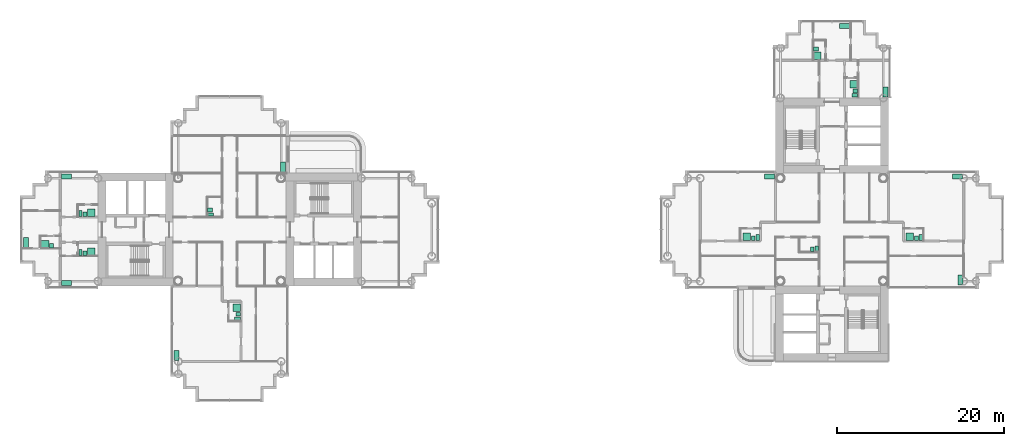
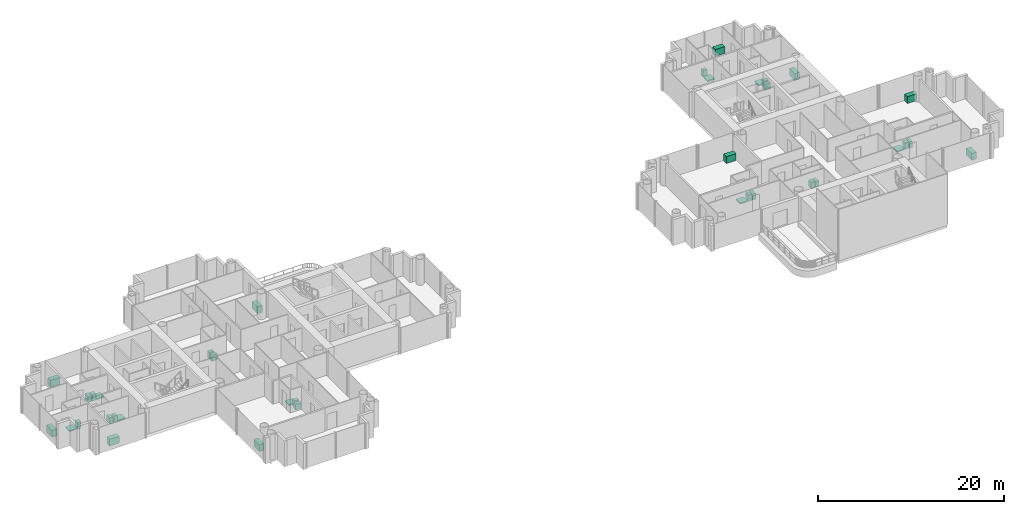
# One storey, part 21 of 21: 36 sanitary terminals.
"""IFC4 building model written with IfcOpenShell, lengths in metres."""

from ifc_helpers import new_model, si_unit, direction, frame, origin, origin_2d, place, context, subcontext, project, spatial, rectangle, extrude, material, type_object, element, save


model = new_model("IFC4")

# Units and contexts
model_context = context("Model", 3, precision=1e-05, world=origin(), true_north=direction((0.0, 1.0)))
body_context = subcontext(model_context, "Body", "Model", "MODEL_VIEW")
ifc_project = project(units=[si_unit("LENGTHUNIT", "METRE"), si_unit("AREAUNIT", "SQUARE_METRE"), si_unit("VOLUMEUNIT", "CUBIC_METRE"), si_unit("PLANEANGLEUNIT", "RADIAN"), si_unit("MASSUNIT", "GRAM", prefix="KILO")], contexts=[model_context])

# Site, building, storey
site_placement = place(None, origin())
site = spatial("IfcSite", under=ifc_project, at=site_placement, CompositionType="ELEMENT")
building_placement = place(site_placement, origin())
building = spatial("IfcBuilding", under=site, at=building_placement, Name="Ipe Terrace Towers", CompositionType="ELEMENT")
storey_placement = place(building_placement, frame((0.0, 0.0, 83.39990234375)))
storey = spatial("IfcBuildingStorey", under=building, at=storey_placement, Name="L22", CompositionType="ELEMENT", Elevation=83.39990234375)

# Sanitary terminals
ifc_material_1 = material(Name="Stainless sink unit", Category="metal")
sanitary_terminal_type_1 = type_object("IfcSanitaryTerminalType", Name="Kitchen sink unit", PredefinedType="SINK", material=ifc_material_1)
for number, where, z_axis, x_axis, name in (
    (1, (-29.6201171875, 7.469970703125, 0.000244140625), (0.0, 0.0, 1.0), (0.0, -1.0, 0.0), "Kitchen sink unit"),
    (2, (-42.3798828125, -15.030029296875, 0.000244140625), (0.0, 0.0, 1.0), (0.0, 1.0, 0.0), "Kitchen sink unit"),
    (3, (-55.530029296875, -6.3798828125, 0.000244140625), (0.0, 0.0, 1.0), (-1.0, 0.0, 0.0), "Kitchen sink unit"),
    (4, (-55.530029296875, 6.3798828125, 0.000244140625), (0.0, 0.0, 1.0), (1.0, 0.0, 0.0), "Kitchen sink unit"),
    (5, (-60.3798828125, -1.530029296875, 0.000244140625), (0.0, 0.0, 1.0), (0.0, 1.0, 0.0), "Kitchen sink unit"),
    (6, (28.530029296875, 6.3798828125, 0.000244140625), (0.0, 0.0, 1.0), (1.0, 0.0, 0.0), "Kitchen sink unit"),
    (7, (51.030029296875, 6.3798828125, 0.000244140625), (0.0, 0.0, 1.0), (1.0, 0.0, 0.0), "Kitchen sink unit"),
    (8, (51.3798828125, -6.030029296875, 0.000244140625), (0.0, 0.0, 1.0), (0.0, -1.0, 0.0), "Kitchen sink unit"),
    (9, (42.3798828125, 16.469970703125, 0.000244140625), (0.0, 0.0, 1.0), (0.0, -1.0, 0.0), "Kitchen sink unit"),
    (10, (37.530029296875, 24.3798828125, 0.000244140625), (0.0, 0.0, 1.0), (1.0, 0.0, 0.0), "Kitchen sink unit"),
):
    element("IfcSanitaryTerminal", number, at=place(storey_placement, frame(where, z_axis=z_axis, x_axis=x_axis)), inside=storey, type_object=sanitary_terminal_type_1, Name=name, PredefinedType="SINK", context=body_context, shape_type="SweptSolid", body=[
        extrude(rectangle(XDim=1.199951171875, YDim=0.60009765625, at=origin_2d()), origin(), (0.0, 0.0, 1.0), 0.89990234375),
    ])
ifc_material_2 = material(Name="Acrylic", Category="plastic")
sanitary_terminal_type_2 = type_object("IfcSanitaryTerminalType", Name="Shower tray", PredefinedType="SHOWER", material=ifc_material_2)
for number, where, z_axis, x_axis, name in (
    (11, (-35.169921875, -9.330078125, 0.000244140625), (0.0, 0.0, 1.0), (-1.0, 0.0, 0.0), "Shower tray"),
    (12, (-52.530029296875, -2.6298828125, 0.000244140625), (0.0, 0.0, 1.0), (0.0, 1.0, 0.0), "Shower tray"),
    (13, (-52.530029296875, 2.02001953125, 0.000244140625), (0.0, 0.0, 1.0), (0.0, 1.0, 0.0), "Shower tray"),
    (14, (-58.080078125, -1.72998046875, 0.000244140625), (0.0, 0.0, 1.0), (0.0, 1.0, 0.0), "Shower tray"),
    (15, (25.830078125, -0.830078125, 0.000244140625), (0.0, 0.0, 1.0), (0.0, 1.0, 0.0), "Shower tray"),
    (16, (45.330078125, -0.830078125, 0.000244140625), (0.0, 0.0, 1.0), (0.0, 1.0, 0.0), "Shower tray"),
    (17, (38.6298828125, 17.3701171875, 0.000244140625), (0.0, 0.0, 1.0), (-1.0, 0.0, 0.0), "Shower tray"),
    (18, (34.27001953125, 20.820068359375, 0.000244140625), (0.0, 0.0, 1.0), (1.0, 0.0, 0.0), "Shower tray"),
):
    element("IfcSanitaryTerminal", number, at=place(storey_placement, frame(where, z_axis=z_axis, x_axis=x_axis)), inside=storey, type_object=sanitary_terminal_type_2, Name=name, PredefinedType="SHOWER", context=body_context, shape_type="SweptSolid", body=[
        extrude(rectangle(XDim=0.89990234375, YDim=0.89990234375, at=origin_2d()), origin(), (0.0, 0.0, 1.0), 0.14990234375),
    ])
ifc_material_3 = material(Name="Vitreous china", Category="ceramic")
sanitary_terminal_type_3 = type_object("IfcSanitaryTerminalType", Name="Wash basin", PredefinedType="WASHHANDBASIN", material=ifc_material_3)
for number, where, z_axis, x_axis, name in (
    (19, (-38.35498046875, 2.344970703125, 0.0), (0.0, 0.0, 1.0), (1.0, 0.0, 0.0), "Wash basin"),
    (20, (-34.9951171875, -10.10498046875, 0.0), (0.0, 0.0, 1.0), (-1.0, 0.0, 0.0), "Wash basin"),
    (21, (-53.304931640625, -2.804931640625, 0.0), (0.0, 0.0, 1.0), (0.0, 1.0, 0.0), "Wash basin"),
    (22, (-53.304931640625, 1.844970703125, 0.0), (0.0, 0.0, 1.0), (0.0, 1.0, 0.0), "Wash basin"),
    (23, (-57.304931640625, -1.905029296875, 0.0), (0.0, 0.0, 1.0), (0.0, 1.0, 0.0), "Wash basin"),
    (24, (33.655029296875, -2.35498046875, 0.0), (0.0, 0.0, 1.0), (0.0, 1.0, 0.0), "Wash basin"),
    (25, (26.60498046875, -1.0048828125, 0.0), (0.0, 0.0, 1.0), (0.0, 1.0, 0.0), "Wash basin"),
    (26, (46.10498046875, -1.0048828125, 0.0), (0.0, 0.0, 1.0), (0.0, 1.0, 0.0), "Wash basin"),
    (27, (38.804931640625, 16.594970703125, 0.0), (0.0, 0.0, 1.0), (-1.0, 0.0, 0.0), "Wash basin"),
    (28, (34.094970703125, 21.594970703125, 0.0), (0.0, 0.0, 1.0), (1.0, 0.0, 0.0), "Wash basin"),
):
    element("IfcSanitaryTerminal", number, at=place(storey_placement, frame(where, z_axis=z_axis, x_axis=x_axis)), inside=storey, type_object=sanitary_terminal_type_3, Name=name, PredefinedType="WASHHANDBASIN", context=body_context, shape_type="SweptSolid", body=[
        extrude(rectangle(XDim=0.550048828125, YDim=0.449951171875, at=origin_2d()), origin(), (0.0, 0.0, 1.0), 0.85009765625),
    ])
ifc_material_4 = material(Name="Vitreous china", Category="ceramic")
sanitary_terminal_type_4 = type_object("IfcSanitaryTerminalType", Name="Water closet", PredefinedType="TOILETPAN", material=ifc_material_4)
for number, where, z_axis, x_axis, name in (
    (29, (-38.280029296875, 1.820068359375, 0.0), (0.0, 0.0, 1.0), (1.0, 0.0, 0.0), "Water closet"),
    (30, (-35.070068359375, -10.6298828125, 0.0), (0.0, 0.0, 1.0), (-1.0, 0.0, 0.0), "Water closet"),
    (31, (-53.830078125, -2.72998046875, 0.0), (0.0, 0.0, 1.0), (0.0, 1.0, 0.0), "Water closet"),
    (32, (-53.830078125, 1.919921875, 0.0), (0.0, 0.0, 1.0), (0.0, 1.0, 0.0), "Water closet"),
    (33, (34.179931640625, -2.280029296875, 0.0), (0.0, 0.0, 1.0), (0.0, 1.0, 0.0), "Water closet"),
    (34, (27.1298828125, -0.929931640625, 0.0), (0.0, 0.0, 1.0), (0.0, 1.0, 0.0), "Water closet"),
    (35, (46.6298828125, -0.929931640625, 0.0), (0.0, 0.0, 1.0), (0.0, 1.0, 0.0), "Water closet"),
    (36, (38.72998046875, 16.070068359375, 0.0), (0.0, 0.0, 1.0), (-1.0, 0.0, 0.0), "Water closet"),
):
    element("IfcSanitaryTerminal", number, at=place(storey_placement, frame(where, z_axis=z_axis, x_axis=x_axis)), inside=storey, type_object=sanitary_terminal_type_4, Name=name, PredefinedType="TOILETPAN", context=body_context, shape_type="SweptSolid", body=[
        extrude(rectangle(XDim=0.699951171875, YDim=0.39990234375, at=origin_2d()), origin(), (0.0, 0.0, 1.0), 0.780029296875),
    ])

save(model, "model.ifc")
